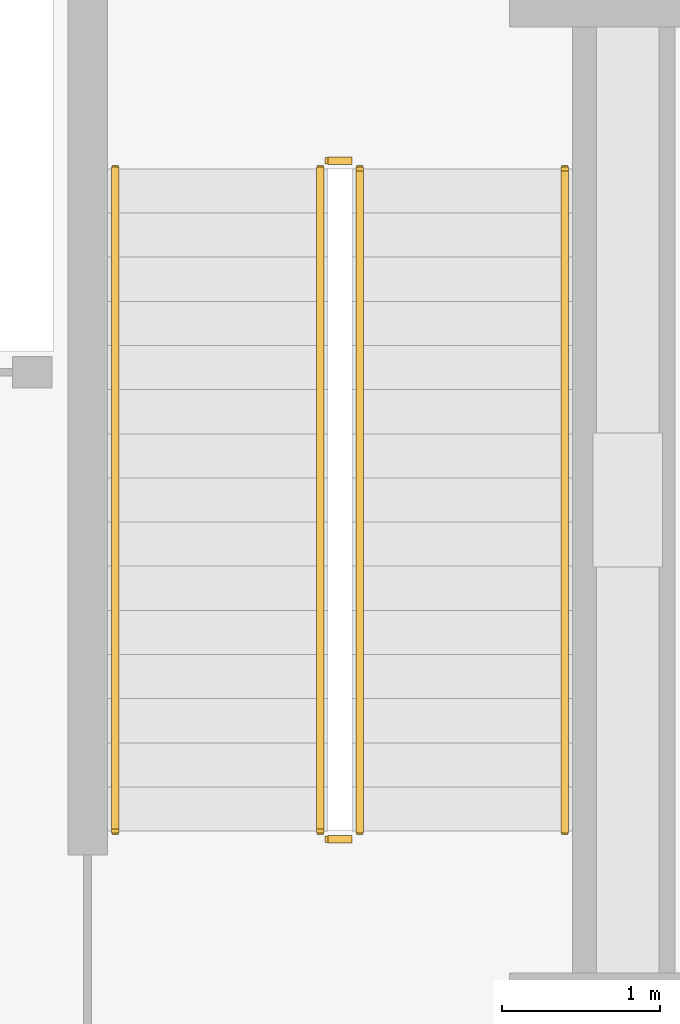
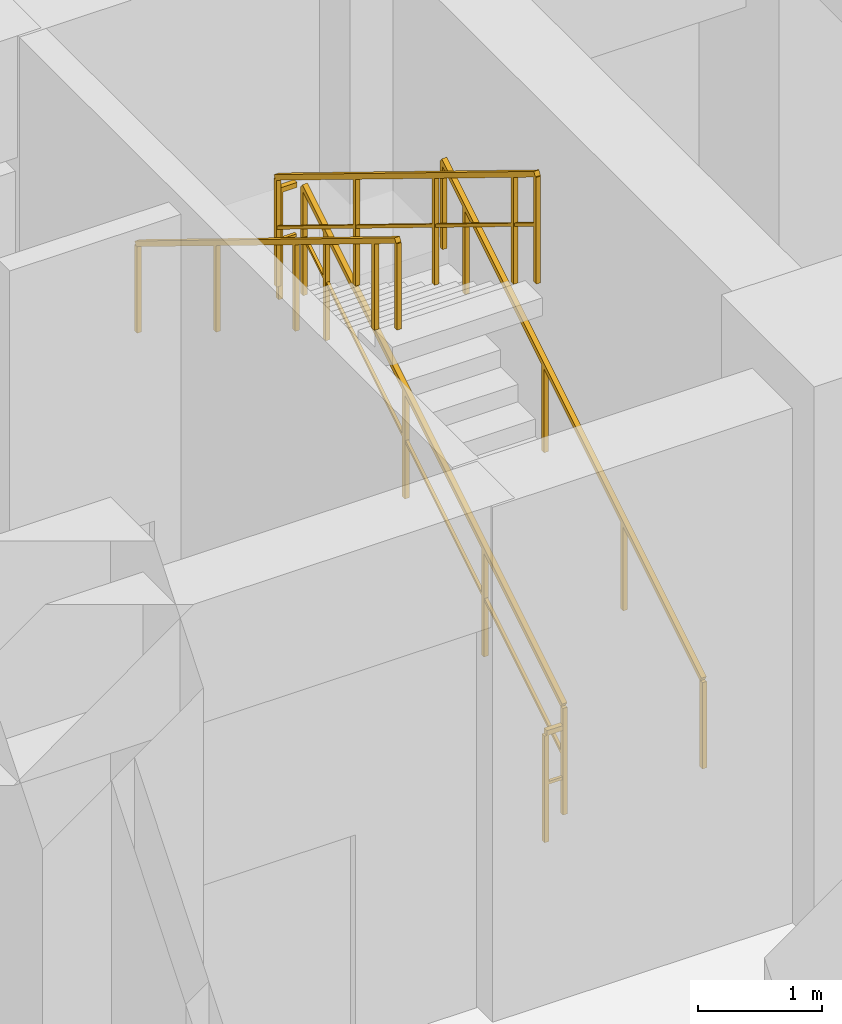
# One storey, part 8 of 9: 6 railings.
"""IFC4 building model written with IfcOpenShell, lengths in metres."""

import ifcopenshell
import ifcopenshell.guid

model = None  # the IFC model being written
_history = None  # IfcOwnerHistory: only IFC2X3 demands one
_inside = {}  # id of a spatial element -> (the spatial element, [elements in it])
_under = {}  # id of a project, library or spatial element -> (it, [spatial elements below it])
_declared = {}  # id of a project -> (the project, [libraries it declares])
_typed = {}  # id of a type object -> (the type object, [elements of that type])
_made_of = {}  # id of a material, layer set ... -> (it, [elements and type objects made of it])


def new_model(schema):
    """Start an empty IFC model of exactly this schema.

    Asked for "IFC4X3", IfcOpenShell would pick the latest addendum, in which some entities
    have other attributes; the version numbers below select the first issue.
    IFC2X3 requires an IfcOwnerHistory on every rooted entity: one is made here for all.
    """
    global model, _history
    if schema == "IFC4X3":
        model = ifcopenshell.file(schema_version=(4, 3, 0, 0))
    else:
        model = ifcopenshell.file(schema=schema)
    _inside.clear()
    _under.clear()
    _declared.clear()
    _typed.clear()
    _made_of.clear()
    _history = None
    if model.schema == "IFC2X3":
        org = make("IfcOrganization", Name="unknown")
        user = make(
            "IfcPersonAndOrganization",
            ThePerson=make("IfcPerson", FamilyName="unknown"),
            TheOrganization=org,
        )
        app = make(
            "IfcApplication",
            ApplicationDeveloper=org,
            Version="unknown",
            ApplicationFullName="unknown",
            ApplicationIdentifier="unknown",
        )
        _history = make(
            "IfcOwnerHistory",
            OwningUser=user,
            OwningApplication=app,
            ChangeAction="ADDED",
            CreationDate=0,
        )
    return model


def make(cls, **values):
    """One entity of the class cls with the attributes given. An attribute that is None is left unset."""
    return model.create_entity(
        cls, **{name: value for name, value in values.items() if value is not None}
    )


def rooted(cls, **values):
    """An entity with a GlobalId (a new one), such as an element, a storey or a relation."""
    return make(cls, GlobalId=ifcopenshell.guid.new(), OwnerHistory=_history, **values)


def si_unit(unit_type, name, prefix=None):
    """IfcSIUnit, for example si_unit("LENGTHUNIT", "METRE", prefix="MILLI")."""
    return make("IfcSIUnit", UnitType=unit_type, Prefix=prefix, Name=name)


def assignment(units):
    """IfcUnitAssignment: the units of a project."""
    return None if units is None else make("IfcUnitAssignment", Units=units)


def point(xyz):
    """IfcCartesianPoint."""
    return None if xyz is None else make("IfcCartesianPoint", Coordinates=xyz)


def direction(xyz):
    """IfcDirection."""
    return None if xyz is None else make("IfcDirection", DirectionRatios=xyz)


def frame(location, z_axis=None, x_axis=None):
    """IfcAxis2Placement3D, a coordinate frame: its origin and axes. An axis left out is left unset."""
    return make(
        "IfcAxis2Placement3D",
        Location=point(location),
        Axis=direction(z_axis),
        RefDirection=direction(x_axis),
    )


def frame_2d(location, x_axis=None):
    """IfcAxis2Placement2D, a coordinate frame in the plane: its origin and x axis."""
    return make(
        "IfcAxis2Placement2D", Location=point(location), RefDirection=direction(x_axis)
    )


def origin():
    """The frame at (0, 0, 0) with its axes left unset."""
    return frame((0.0, 0.0, 0.0))


def origin_2d():
    """The frame at (0, 0) in the plane with its x axis left unset."""
    return frame_2d((0.0, 0.0))


def place(relative_to, where):
    """IfcLocalPlacement: puts the frame where relative to a parent placement (None: the world)."""
    return make(
        "IfcLocalPlacement", PlacementRelTo=relative_to, RelativePlacement=where
    )


def context(
    kind, dimensions, precision=None, world=None, true_north=None, identifier=None
):
    """IfcGeometricRepresentationContext, for example the 3D "Model" context."""
    return make(
        "IfcGeometricRepresentationContext",
        ContextIdentifier=identifier,
        ContextType=kind,
        CoordinateSpaceDimension=dimensions,
        Precision=precision,
        WorldCoordinateSystem=world,
        TrueNorth=true_north,
    )


def subcontext(parent, identifier, kind, view, scale=None):
    """IfcGeometricRepresentationSubContext, for example "Body" below "Model"."""
    return make(
        "IfcGeometricRepresentationSubContext",
        ContextIdentifier=identifier,
        ContextType=kind,
        ParentContext=parent,
        TargetScale=scale,
        TargetView=view,
    )


def project(units=None, contexts=None):
    """IfcProject with its units and contexts."""
    return rooted(
        "IfcProject",
        Name="project",
        RepresentationContexts=contexts,
        UnitsInContext=assignment(units),
    )


def spatial(cls, under=None, at=None, **own):
    """A site, building, storey or space (cls), placed at a placement, below another one or the project."""
    s = rooted(cls, ObjectPlacement=at, **own)
    if under is not None:
        _under.setdefault(under.id(), (under, []))[1].append(s)
    return s


def profile(cls, at=None, kind="AREA", **sizes):
    """A parametric profile (cls). Its sizes go by their IFC names, for example OverallWidth=200.0."""
    return make(cls, ProfileType=kind, Position=at, **sizes)


def rectangle(**sizes):
    """IfcRectangleProfileDef."""
    return profile("IfcRectangleProfileDef", **sizes)


def extrude(swept, where, along, depth):
    """IfcExtrudedAreaSolid: the profile swept, set in the frame where, extruded along a direction by depth."""
    return make(
        "IfcExtrudedAreaSolid",
        SweptArea=swept,
        Position=where,
        ExtrudedDirection=direction(along),
        Depth=depth,
    )


def shape(context_of_items, identifier, shape_type, items):
    """IfcShapeRepresentation: the items that make up one representation, for example the "Body"."""
    return make(
        "IfcShapeRepresentation",
        ContextOfItems=context_of_items,
        RepresentationIdentifier=identifier,
        RepresentationType=shape_type,
        Items=items,
    )


def material(Name=None, Category=None):
    """IfcMaterial."""
    return make("IfcMaterial", Name=Name, Category=Category)


def made_of(thing, what):
    """Note that an element or type object is made of a material, layer set ...; save() writes the relation."""
    if what is not None:
        _made_of.setdefault(what.id(), (what, []))[1].append(thing)
    return thing


def type_object(cls, material=None, **own):
    """A type object (cls), such as IfcWallType, which elements share."""
    return made_of(rooted(cls, **own), material)


def element(
    cls,
    number,
    at=None,
    inside=None,
    cuts=None,
    type_object=None,
    material=None,
    context=None,
    identifier="Body",
    shape_type=None,
    held_by="IfcProductDefinitionShape",
    body=None,
    shapes=None,
    **own,
):
    """One element of the class cls, such as IfcWall. Its Tag is "e" and its number.

    at: its placement. inside: the storey or other place that contains it. cuts: it is an
    opening in that element (IfcRelVoidsElement). A single representation is given by context,
    identifier, shape_type and body (its items); several are given by shapes. held_by: the class
    of the entity that holds the representations. save() writes the other relations.
    """
    e = rooted(cls, Tag="e%d" % number, ObjectPlacement=at, **own)
    if body is not None:
        shapes = [shape(context, identifier, shape_type, body)]
    if shapes is not None:
        e.Representation = make(held_by, Representations=shapes)
    if inside is not None:
        _inside.setdefault(inside.id(), (inside, []))[1].append(e)
    if cuts is not None:
        rooted(
            "IfcRelVoidsElement", RelatingBuildingElement=cuts, RelatedOpeningElement=e
        )
    if type_object is not None:
        _typed.setdefault(type_object.id(), (type_object, []))[1].append(e)
    return made_of(e, material)


def aggregate(whole, parts):
    """IfcRelAggregates: a whole, such as a stair, and the parts it consists of."""
    return rooted("IfcRelAggregates", RelatingObject=whole, RelatedObjects=parts)


def save(model, path):
    """Write the relations noted so far, then the file.

    IfcRelAggregates (storeys below a building ...), IfcRelContainedInSpatialStructure (elements
    in a storey), IfcRelDefinesByType, IfcRelAssociatesMaterial and IfcRelDeclares: one each for
    every whole, place, type object, material and project.
    """
    for whole, parts in _under.values():
        aggregate(whole, parts)
    for where, things in _inside.values():
        rooted(
            "IfcRelContainedInSpatialStructure",
            RelatedElements=things,
            RelatingStructure=where,
        )
    for kind, things in _typed.values():
        rooted("IfcRelDefinesByType", RelatedObjects=things, RelatingType=kind)
    for what, things in _made_of.values():
        rooted("IfcRelAssociatesMaterial", RelatedObjects=things, RelatingMaterial=what)
    for by, libraries in _declared.values():
        rooted("IfcRelDeclares", RelatingContext=by, RelatedDefinitions=libraries)
    model.write(path)


model = new_model("IFC4")

# Units and contexts
model_context = context("Model", 3, precision=1e-05, world=origin(), true_north=direction((0.0, 1.0)))
body_context = subcontext(model_context, "Body", "Model", "MODEL_VIEW")
ifc_project = project(units=[si_unit("LENGTHUNIT", "METRE"), si_unit("AREAUNIT", "SQUARE_METRE"), si_unit("VOLUMEUNIT", "CUBIC_METRE"), si_unit("PLANEANGLEUNIT", "RADIAN"), si_unit("MASSUNIT", "GRAM", prefix="KILO")], contexts=[model_context])

# Site, building, storey
site_placement = place(None, origin())
site = spatial("IfcSite", under=ifc_project, at=site_placement, CompositionType="ELEMENT")
building_placement = place(site_placement, origin())
building = spatial("IfcBuilding", under=site, at=building_placement, Name="Kaliganga Portal Commons", CompositionType="ELEMENT")
storey_placement = place(building_placement, frame((0.0, 0.0, 19.800048828125)))
storey = spatial("IfcBuildingStorey", under=building, at=storey_placement, Name="L04", CompositionType="ELEMENT", Elevation=19.800048828125)

# Railings
ifc_material_1 = material(Name="Galvanized Painted Steel Balustrade", Category="steel")
railing_type_1 = type_object("IfcRailingType", Name="RLG-STAIR-GRD", PredefinedType="GUARDRAIL", material=ifc_material_1)
railing_1_placement = place(storey_placement, frame((48.699951171875, 8.699951171875, 0.171875)))
element("IfcRailing", 1, at=railing_1_placement, inside=storey, type_object=railing_type_1, Name="L04 ST-B2 stair guard 1", PredefinedType="GUARDRAIL", context=body_context, shape_type="SweptSolid", body=[
    extrude(rectangle(XDim=0.048095703125, YDim=0.048095703125, at=origin_2d()), frame((0.0, 0.0, 1.07177734375), z_axis=(0.0, 0.852242915053, 0.523146264196), x_axis=(-1.0, 0.0, 0.0)), (0.0, 0.0, 1.0), 4.92822265625),
    extrude(rectangle(XDim=0.028076171875, YDim=0.028076171875, at=origin_2d()), frame((0.0, 0.0, 0.572021484375), z_axis=(0.0, 0.852242915053, 0.523146264196), x_axis=(-1.0, 0.0, 0.0)), (0.0, 0.0, 1.0), 4.92822265625),
    extrude(rectangle(XDim=0.0419921875, YDim=0.0419921875, at=origin_2d()), origin(), (0.0, 0.0, 1.0), 1.052001953125),
    extrude(rectangle(XDim=0.0419921875, YDim=0.0419921875, at=origin_2d()), frame((0.0, 1.2783203125, 0.78466796875)), (0.0, 0.0, 1.0), 1.052001953125),
    extrude(rectangle(XDim=0.0419921875, YDim=0.0419921875, at=origin_2d()), frame((0.0, 2.556640625, 1.5693359375)), (0.0, 0.0, 1.0), 1.052001953125),
    extrude(rectangle(XDim=0.0419921875, YDim=0.0419921875, at=origin_2d()), frame((0.0, 3.835205078125, 2.354248046875)), (0.0, 0.0, 1.0), 1.052001953125),
    extrude(rectangle(XDim=0.0419921875, YDim=0.0419921875, at=origin_2d()), frame((0.0, 4.199951171875, 2.578125)), (0.0, 0.0, 1.0), 1.052001953125),
])
railing_2_placement = place(storey_placement, frame((48.64990234375, 12.949951171875, 2.75)))
element("IfcRailing", 2, at=railing_2_placement, inside=storey, type_object=railing_type_1, Name="L04 ST-B2 stair guard 2", PredefinedType="GUARDRAIL", context=body_context, shape_type="SweptSolid", body=[
    extrude(rectangle(XDim=0.048095703125, YDim=0.048095703125, at=origin_2d()), frame((0.0, 0.0, 1.076171875), z_axis=(-1.0, 0.0, 0.0), x_axis=(0.0, -1.0, 0.0)), (0.0, 0.0, 1.0), 0.14990234375),
    extrude(rectangle(XDim=0.028076171875, YDim=0.028076171875, at=origin_2d()), frame((0.0, 0.0, 0.572021484375), z_axis=(-1.0, 0.0, 0.0), x_axis=(0.0, -1.0, 0.0)), (0.0, 0.0, 1.0), 0.14990234375),
    extrude(rectangle(XDim=0.0419921875, YDim=0.0419921875, at=origin_2d()), frame((-0.14990234375, 0.0, 0.0)), (0.0, 0.0, 1.0), 1.052001953125),
])
railing_3_placement = place(storey_placement, frame((48.449951171875, 12.89990234375, 2.921875)))
element("IfcRailing", 3, at=railing_3_placement, inside=storey, type_object=railing_type_1, Name="L04 ST-B2 stair guard 3", PredefinedType="GUARDRAIL", context=body_context, shape_type="SweptSolid", body=[
    extrude(rectangle(XDim=0.048095703125, YDim=0.048095703125, at=origin_2d()), frame((0.0, 0.0, 1.07177734375), z_axis=(0.0, -0.852242915053, 0.523146264196), x_axis=(1.0, 0.0, 0.0)), (0.0, 0.0, 1.0), 4.92822265625),
    extrude(rectangle(XDim=0.028076171875, YDim=0.028076171875, at=origin_2d()), frame((0.0, 0.0, 0.572021484375), z_axis=(0.0, -0.852242915053, 0.523146264196), x_axis=(1.0, 0.0, 0.0)), (0.0, 0.0, 1.0), 4.92822265625),
    extrude(rectangle(XDim=0.0419921875, YDim=0.0419921875, at=origin_2d()), origin(), (0.0, 0.0, 1.0), 1.052001953125),
    extrude(rectangle(XDim=0.0419921875, YDim=0.0419921875, at=origin_2d()), frame((0.0, -1.2783203125, 0.78466796875)), (0.0, 0.0, 1.0), 1.052001953125),
    extrude(rectangle(XDim=0.0419921875, YDim=0.0419921875, at=origin_2d()), frame((0.0, -2.556640625, 1.5693359375)), (0.0, 0.0, 1.0), 1.052001953125),
    extrude(rectangle(XDim=0.0419921875, YDim=0.0419921875, at=origin_2d()), frame((0.0, -3.835205078125, 2.354248046875)), (0.0, 0.0, 1.0), 1.052001953125),
    extrude(rectangle(XDim=0.0419921875, YDim=0.0419921875, at=origin_2d()), frame((0.0, -4.199951171875, 2.578125)), (0.0, 0.0, 1.0), 1.052001953125),
])
railing_4_placement = place(storey_placement, frame((48.64990234375, 8.64990234375, 0.0)))
element("IfcRailing", 4, at=railing_4_placement, inside=storey, type_object=railing_type_1, Name="L04 ST-B2 stair guard 4", PredefinedType="GUARDRAIL", context=body_context, shape_type="SweptSolid", body=[
    extrude(rectangle(XDim=0.048095703125, YDim=0.048095703125, at=origin_2d()), frame((0.0, 0.0, 1.076171875), z_axis=(-1.0, 0.0, 0.0), x_axis=(0.0, -1.0, 0.0)), (0.0, 0.0, 1.0), 0.14990234375),
    extrude(rectangle(XDim=0.028076171875, YDim=0.028076171875, at=origin_2d()), frame((0.0, 0.0, 0.572021484375), z_axis=(-1.0, 0.0, 0.0), x_axis=(0.0, -1.0, 0.0)), (0.0, 0.0, 1.0), 0.14990234375),
    extrude(rectangle(XDim=0.0419921875, YDim=0.0419921875, at=origin_2d()), frame((-0.14990234375, 0.0, 0.0)), (0.0, 0.0, 1.0), 1.052001953125),
])
ifc_material_2 = material(Name="Brushed Stainless Steel 316", Category="steel")
railing_type_2 = type_object("IfcRailingType", Name="RLG-STAIR-HR", PredefinedType="HANDRAIL", material=ifc_material_2)
railing_5_placement = place(storey_placement, frame((50.0, 8.699951171875, 0.171875)))
element("IfcRailing", 5, at=railing_5_placement, inside=storey, type_object=railing_type_2, Name="L04 ST-B2 stair handrail 1", PredefinedType="HANDRAIL", context=body_context, shape_type="SweptSolid", body=[
    extrude(rectangle(XDim=0.048095703125, YDim=0.048095703125, at=origin_2d()), frame((0.0, 0.0, 0.87158203125), z_axis=(0.0, 0.852242915053, 0.523146264196), x_axis=(-1.0, 0.0, 0.0)), (0.0, 0.0, 1.0), 4.92822265625),
    extrude(rectangle(XDim=0.0419921875, YDim=0.0419921875, at=origin_2d()), origin(), (0.0, 0.0, 1.0), 0.851806640625),
    extrude(rectangle(XDim=0.0419921875, YDim=0.0419921875, at=origin_2d()), frame((0.0, 1.2783203125, 0.78466796875)), (0.0, 0.0, 1.0), 0.851806640625),
    extrude(rectangle(XDim=0.0419921875, YDim=0.0419921875, at=origin_2d()), frame((0.0, 2.556640625, 1.5693359375)), (0.0, 0.0, 1.0), 0.851806640625),
    extrude(rectangle(XDim=0.0419921875, YDim=0.0419921875, at=origin_2d()), frame((0.0, 3.835205078125, 2.354248046875)), (0.0, 0.0, 1.0), 0.851806640625),
    extrude(rectangle(XDim=0.0419921875, YDim=0.0419921875, at=origin_2d()), frame((0.0, 4.199951171875, 2.578125)), (0.0, 0.0, 1.0), 0.851806640625),
])
railing_6_placement = place(storey_placement, frame((47.14990234375, 12.89990234375, 2.921875)))
element("IfcRailing", 6, at=railing_6_placement, inside=storey, type_object=railing_type_2, Name="L04 ST-B2 stair handrail 2", PredefinedType="HANDRAIL", context=body_context, shape_type="SweptSolid", body=[
    extrude(rectangle(XDim=0.048095703125, YDim=0.048095703125, at=origin_2d()), frame((0.0, 0.0, 0.87158203125), z_axis=(0.0, -0.852242915053, 0.523146264196), x_axis=(1.0, 0.0, 0.0)), (0.0, 0.0, 1.0), 4.92822265625),
    extrude(rectangle(XDim=0.0419921875, YDim=0.0419921875, at=origin_2d()), origin(), (0.0, 0.0, 1.0), 0.851806640625),
    extrude(rectangle(XDim=0.0419921875, YDim=0.0419921875, at=origin_2d()), frame((0.0, -1.2783203125, 0.78466796875)), (0.0, 0.0, 1.0), 0.851806640625),
    extrude(rectangle(XDim=0.0419921875, YDim=0.0419921875, at=origin_2d()), frame((0.0, -2.556640625, 1.5693359375)), (0.0, 0.0, 1.0), 0.851806640625),
    extrude(rectangle(XDim=0.0419921875, YDim=0.0419921875, at=origin_2d()), frame((0.0, -3.835205078125, 2.354248046875)), (0.0, 0.0, 1.0), 0.851806640625),
    extrude(rectangle(XDim=0.0419921875, YDim=0.0419921875, at=origin_2d()), frame((0.0, -4.199951171875, 2.578125)), (0.0, 0.0, 1.0), 0.851806640625),
])

save(model, "model.ifc")
